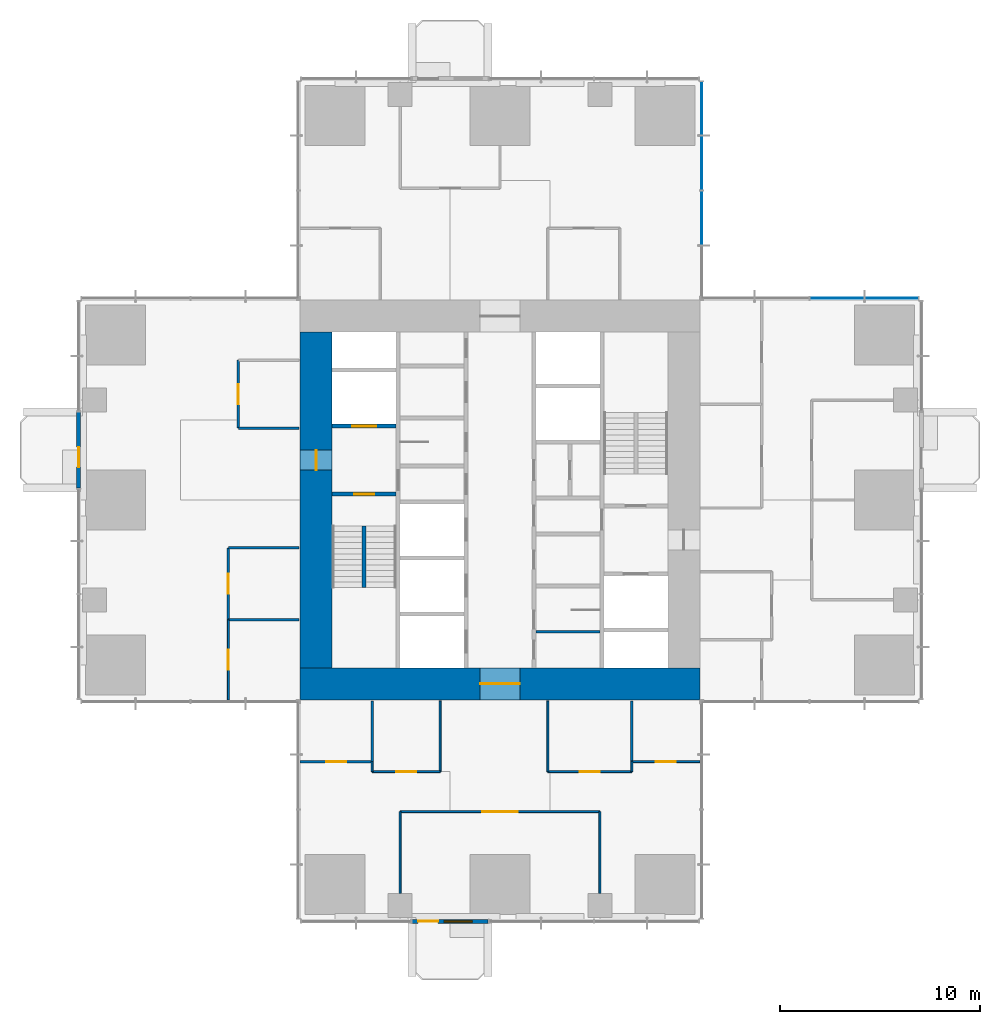
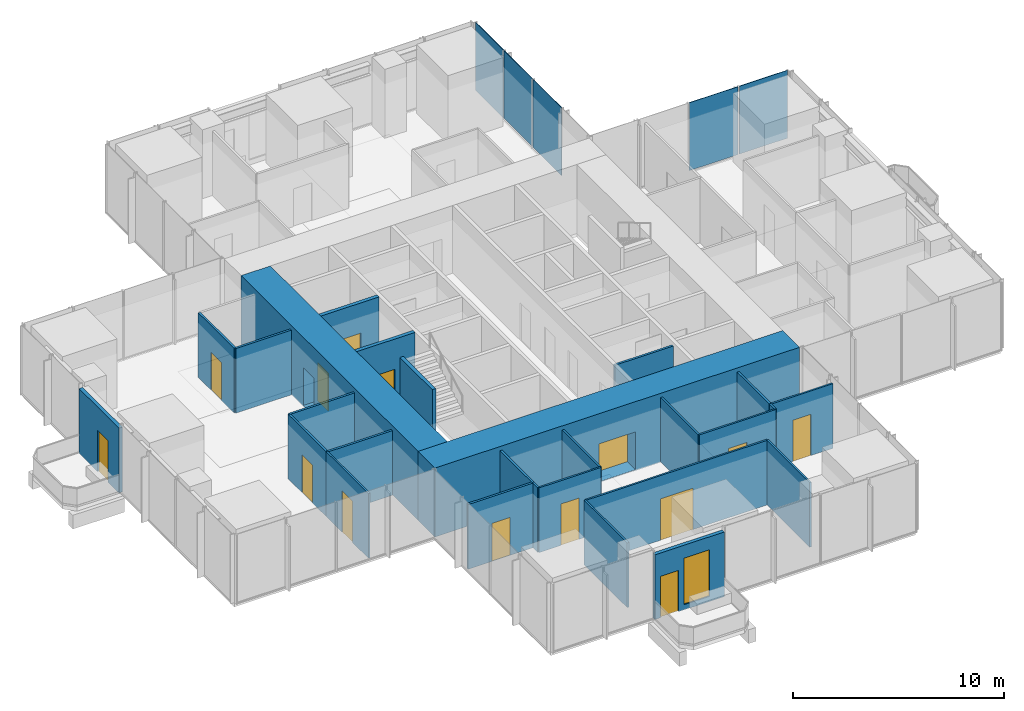
# One storey, part 8 of 13: 27 walls, 14 doors, 5 plates, 1 window, 15 openings, 2 elements without a shape of their own.
"""IFC4 building model written with IfcOpenShell, lengths in metres."""

from ifc_helpers import new_model, si_unit, direction, frame, frame_2d, origin, origin_2d, place, context, subcontext, project, spatial, rectangle, extrude, material, layer, layer_set, type_object, element, fill, aggregate, save


model = new_model("IFC4")

# Units and contexts
model_context = context("Model", 3, precision=1e-05, world=origin(), true_north=direction((0.0, 1.0)))
body_context = subcontext(model_context, "Body", "Model", "MODEL_VIEW")
ifc_project = project(units=[si_unit("LENGTHUNIT", "METRE"), si_unit("AREAUNIT", "SQUARE_METRE"), si_unit("VOLUMEUNIT", "CUBIC_METRE"), si_unit("PLANEANGLEUNIT", "RADIAN"), si_unit("MASSUNIT", "GRAM", prefix="KILO")], contexts=[model_context])

# Site, building, storey
site_placement = place(None, origin())
site = spatial("IfcSite", under=ifc_project, at=site_placement, CompositionType="ELEMENT")
building_placement = place(site_placement, origin())
building = spatial("IfcBuilding", under=site, at=building_placement, Name="Svetlomir Tower", CompositionType="ELEMENT")
storey_placement = place(building_placement, frame((0.0, 0.0, 100.5)))
storey = spatial("IfcBuildingStorey", under=building, at=storey_placement, Name="L23", CompositionType="ELEMENT", Elevation=100.5)

# Curtain wall, plates
ifc_material_1 = material(Name="Bronze anodised aluminium curtain wall", Category="aluminium")
curtain_wall_type = type_object("IfcCurtainWallType", Name="CURTAIN WALL CW1 TOWER OFFICE", PredefinedType="NOTDEFINED", material=ifc_material_1)
curtain_wall_1_placement = place(storey_placement, origin())
curtain_wall_1 = element("IfcCurtainWall", 1, at=curtain_wall_1_placement, inside=storey, type_object=curtain_wall_type, Name="Curtain wall CW1 L23", PredefinedType="NOTDEFINED")
ifc_material_2 = material(Name="Tinted double glazed unit", Category="glass")
ifc_layer_1 = layer(ifc_material_2, 0.031982421875)
ifc_layer_set_1 = layer_set([ifc_layer_1], Name="Tinted double glazed unit")
plate_type = type_object("IfcPlateType", Name="CW1 GLAZED PANEL 32", PredefinedType="CURTAIN_PANEL", material=ifc_layer_set_1)
plate_1_placement = place(storey_placement, frame((40.608642578125, 31.10009765625, 0.06494140625), z_axis=(0.0, 0.0, 1.0), x_axis=(-1.0, 0.0, 0.0)))
plate_1 = element("IfcPlate", 2, at=plate_1_placement, type_object=plate_type, Name="CW1 panel 1.1", PredefinedType="CURTAIN_PANEL", context=body_context, shape_type="SweptSolid", body=[
    extrude(rectangle(XDim=2.652587890625, YDim=0.031982421875, at=origin_2d()), origin(), (0.0, 0.0, 1.0), 3.93505859375),
])
plate_2_placement = place(storey_placement, frame((37.875, 31.10009765625, 0.06494140625), z_axis=(0.0, 0.0, 1.0), x_axis=(-1.0, 0.0, 0.0)))
plate_2 = element("IfcPlate", 3, at=plate_2_placement, type_object=plate_type, Name="CW1 panel 2.1", PredefinedType="CURTAIN_PANEL", context=body_context, shape_type="SweptSolid", body=[
    extrude(rectangle(XDim=2.68505859375, YDim=0.031982421875, at=origin_2d()), origin(), (0.0, 0.0, 1.0), 3.93505859375),
])
aggregate(curtain_wall_1, [plate_1, plate_2])

curtain_wall_2_placement = place(storey_placement, origin())
curtain_wall_2 = element("IfcCurtainWall", 4, at=curtain_wall_2_placement, inside=storey, type_object=curtain_wall_type, Name="Curtain wall CW1 L23", PredefinedType="NOTDEFINED")
plate_3_placement = place(storey_placement, frame((31.10009765625, 35.125, 0.06494140625), z_axis=(0.0, 0.0, 1.0), x_axis=(0.0, 1.0, 0.0)))
plate_3 = element("IfcPlate", 5, at=plate_3_placement, type_object=plate_type, Name="CW1 panel 2.1", PredefinedType="CURTAIN_PANEL", context=body_context, shape_type="SweptSolid", body=[
    extrude(rectangle(XDim=2.68505859375, YDim=0.031982421875, at=origin_2d()), origin(), (0.0, 0.0, 1.0), 3.93505859375),
])
plate_4_placement = place(storey_placement, frame((31.10009765625, 37.875, 0.06494140625), z_axis=(0.0, 0.0, 1.0), x_axis=(0.0, 1.0, 0.0)))
plate_4 = element("IfcPlate", 6, at=plate_4_placement, type_object=plate_type, Name="CW1 panel 3.1", PredefinedType="CURTAIN_PANEL", context=body_context, shape_type="SweptSolid", body=[
    extrude(rectangle(XDim=2.68505859375, YDim=0.031982421875, at=origin_2d()), origin(), (0.0, 0.0, 1.0), 3.93505859375),
])
plate_5_placement = place(storey_placement, frame((31.10009765625, 40.608642578125, 0.06494140625), z_axis=(0.0, 0.0, 1.0), x_axis=(0.0, 1.0, 0.0)))
plate_5 = element("IfcPlate", 7, at=plate_5_placement, type_object=plate_type, Name="CW1 panel 4.1", PredefinedType="CURTAIN_PANEL", context=body_context, shape_type="SweptSolid", body=[
    extrude(rectangle(XDim=2.652587890625, YDim=0.031982421875, at=origin_2d()), origin(), (0.0, 0.0, 1.0), 3.93505859375),
])
aggregate(curtain_wall_2, [plate_3, plate_4, plate_5])

# Wall, openings, door, window
ifc_material_3 = material(Name="Bronze anodised aluminium glazed screen", Category="aluminium")
ifc_layer_2 = layer(ifc_material_3, 0.199951171875)
ifc_layer_set_2 = layer_set([ifc_layer_2], Name="Bronze anodised aluminium glazed screen")
wall_type_1 = type_object("IfcWallType", Name="BALCONY SCREEN WALL 200", PredefinedType="USERDEFINED", material=ifc_layer_set_2)
wall_1_placement = place(storey_placement, frame((16.60009765625, -0.10009765625, 0.0), z_axis=(0.0, 0.0, 1.0), x_axis=(1.0, 0.0, 0.0)))
wall_1 = element("IfcWall", 8, at=wall_1_placement, inside=storey, type_object=wall_type_1, Name="Balcony screen S", ObjectType="GLAZED SCREEN", PredefinedType="USERDEFINED", context=body_context, shape_type="SweptSolid", body=[
    extrude(rectangle(XDim=3.7998046875, YDim=0.199951171875, at=frame_2d((1.89990234375, 0.0))), origin(), (0.0, 0.0, 1.0), 3.75),
])
opening_1_placement = place(wall_1_placement, frame((0.300048828125, 0.0, 0.0)))
opening_1 = element("IfcOpeningElement", 9, at=opening_1_placement, cuts=wall_1, Name="Opening BD", PredefinedType="OPENING", context=body_context, shape_type="SweptSolid", body=[
    extrude(rectangle(XDim=1.0, YDim=2.39990234375, at=frame_2d((0.5, 1.199951171875))), frame((0.0, 0.10986328125, 0.0), z_axis=(0.0, -1.0, 0.0), x_axis=(1.0, 0.0, 0.0)), (0.0, 0.0, 1.0), 0.219970703125),
])
opening_2_placement = place(wall_1_placement, frame((1.60009765625, 0.0, 0.300048828125)))
opening_2 = element("IfcOpeningElement", 10, at=opening_2_placement, cuts=wall_1, Name="Opening WS2", PredefinedType="OPENING", context=body_context, shape_type="SweptSolid", body=[
    extrude(rectangle(XDim=1.39990234375, YDim=2.699951171875, at=frame_2d((0.699951171875, 1.35009765625))), frame((0.0, 0.10986328125, 0.0), z_axis=(0.0, -1.0, 0.0), x_axis=(1.0, 0.0, 0.0)), (0.0, 0.0, 1.0), 0.219970703125),
])
ifc_material_4 = material(Name="Bronze anodised aluminium glazed door", Category="aluminium")
door_type_1 = type_object("IfcDoorType", Name="BALCONY DOOR BD 1000x2400", OperationType="SINGLE_SWING_LEFT", PredefinedType="DOOR", material=ifc_material_4)
door_1_placement = place(opening_1_placement, origin())
door_1 = element("IfcDoor", 11, at=door_1_placement, inside=storey, type_object=door_type_1, Name="Balcony screen S door", OperationType="SINGLE_SWING_LEFT", OverallHeight=2.39990234375, OverallWidth=1.0, PredefinedType="DOOR", context=body_context, shape_type="SweptSolid", body=[
    extrude(rectangle(XDim=1.0, YDim=2.39990234375, at=frame_2d((0.5, 1.199951171875))), frame((0.0, 0.02490234375, 0.0), z_axis=(0.0, -1.0, 0.0), x_axis=(1.0, 0.0, 0.0)), (0.0, 0.0, 1.0), 0.050048828125),
])
fill(opening_1, door_1)
ifc_material_5 = material(Name="Bronze anodised aluminium window", Category="aluminium")
window_type = type_object("IfcWindowType", Name="SCREEN WINDOW WS2 1400x2700", PartitioningType="SINGLE_PANEL", PredefinedType="WINDOW", material=ifc_material_5)
window_placement = place(opening_2_placement, origin())
window = element("IfcWindow", 12, at=window_placement, inside=storey, type_object=window_type, Name="Balcony screen S window 1", OverallHeight=2.699951171875, OverallWidth=1.39990234375, PartitioningType="SINGLE_PANEL", PredefinedType="WINDOW", context=body_context, shape_type="SweptSolid", body=[
    extrude(rectangle(XDim=1.39990234375, YDim=2.699951171875, at=frame_2d((0.699951171875, 1.35009765625))), frame((0.0, 0.030029296875, 0.0), z_axis=(0.0, -1.0, 0.0), x_axis=(1.0, 0.0, 0.0)), (0.0, 0.0, 1.0), 0.06005859375),
])
fill(opening_2, window)

# Wall, opening, door
wall_2_placement = place(storey_placement, frame((-0.10009765625, 25.39990234375, 0.0), z_axis=(0.0, 0.0, 1.0), x_axis=(0.0, -1.0, 0.0)))
wall_2 = element("IfcWall", 13, at=wall_2_placement, inside=storey, type_object=wall_type_1, Name="Balcony screen W", ObjectType="GLAZED SCREEN", PredefinedType="USERDEFINED", context=body_context, shape_type="SweptSolid", body=[
    extrude(rectangle(XDim=3.7998046875, YDim=0.199951171875, at=frame_2d((1.89990234375, 0.0))), origin(), (0.0, 0.0, 1.0), 3.75),
])
opening_3_placement = place(wall_2_placement, frame((1.75, 0.0, 0.0)))
opening_3 = element("IfcOpeningElement", 14, at=opening_3_placement, cuts=wall_2, Name="Opening BD", PredefinedType="OPENING", context=body_context, shape_type="SweptSolid", body=[
    extrude(rectangle(XDim=1.0, YDim=2.39990234375, at=frame_2d((0.5, 1.199951171875))), frame((0.0, 0.10986328125, 0.0), z_axis=(0.0, -1.0, 0.0), x_axis=(1.0, 0.0, 0.0)), (0.0, 0.0, 1.0), 0.219970703125),
])
door_2_placement = place(opening_3_placement, origin())
door_2 = element("IfcDoor", 15, at=door_2_placement, inside=storey, type_object=door_type_1, Name="Balcony screen W door", OperationType="SINGLE_SWING_LEFT", OverallHeight=2.39990234375, OverallWidth=1.0, PredefinedType="DOOR", context=body_context, shape_type="SweptSolid", body=[
    extrude(rectangle(XDim=1.0, YDim=2.39990234375, at=frame_2d((0.5, 1.199951171875))), frame((0.0, 0.02490234375, 0.0), z_axis=(0.0, -1.0, 0.0), x_axis=(1.0, 0.0, 0.0)), (0.0, 0.0, 1.0), 0.050048828125),
])
fill(opening_3, door_2)

ifc_material_6 = material(Name="Concrete C60/75", Category="concrete")
ifc_layer_3 = layer(ifc_material_6, 0.199951171875)
ifc_layer_set_3 = layer_set([ifc_layer_3], Name="Concrete C60/75")
wall_type_2 = type_object("IfcWallType", Name="CORE INNER WALL 200", PredefinedType="SHEAR", material=ifc_layer_set_3)
wall_3_placement = place(storey_placement, frame((12.60009765625, 21.300048828125, -0.050048828125), z_axis=(0.0, 0.0, 1.0), x_axis=(1.0, 0.0, 0.0)))
wall_3 = element("IfcWall", 16, at=wall_3_placement, inside=storey, type_object=wall_type_2, Name="Core inner wall 12.6-15.8/21.3 L23", PredefinedType="SHEAR", context=body_context, shape_type="SweptSolid", body=[
    extrude(rectangle(XDim=3.199951171875, YDim=0.199951171875, at=frame_2d((1.60009765625, 0.0))), origin(), (0.0, 0.0, 1.0), 4.0),
])
opening_4_placement = place(wall_3_placement, frame((1.10009765625, 0.0, 0.050048828125)))
opening_4 = element("IfcOpeningElement", 17, at=opening_4_placement, cuts=wall_3, Name="Opening DF", PredefinedType="OPENING", context=body_context, shape_type="SweptSolid", body=[
    extrude(rectangle(XDim=1.0, YDim=2.199951171875, at=frame_2d((0.5, 1.10009765625))), frame((0.0, 0.10986328125, 0.0), z_axis=(0.0, -1.0, 0.0), x_axis=(1.0, 0.0, 0.0)), (0.0, 0.0, 1.0), 0.219970703125),
])
ifc_material_7 = material(Name="Steel fire door", Category="steel")
door_type_2 = type_object("IfcDoorType", Name="DOOR DF 1000x2200", OperationType="SINGLE_SWING_LEFT", PredefinedType="DOOR", material=ifc_material_7)
door_3_placement = place(opening_4_placement, origin())
door_3 = element("IfcDoor", 18, at=door_3_placement, inside=storey, type_object=door_type_2, Name="Stair S1 door L23", OperationType="SINGLE_SWING_RIGHT", OverallHeight=2.199951171875, OverallWidth=1.0, PredefinedType="DOOR", context=body_context, shape_type="SweptSolid", body=[
    extrude(rectangle(XDim=1.0, YDim=2.199951171875, at=frame_2d((0.5, 1.10009765625))), frame((0.0, 0.02490234375, 0.0), z_axis=(0.0, -1.0, 0.0), x_axis=(1.0, 0.0, 0.0)), (0.0, 0.0, 1.0), 0.050048828125),
])
fill(opening_4, door_3)

wall_4_placement = place(storey_placement, frame((12.60009765625, 24.699951171875, -0.050048828125), z_axis=(0.0, 0.0, 1.0), x_axis=(1.0, 0.0, 0.0)))
wall_4 = element("IfcWall", 19, at=wall_4_placement, inside=storey, type_object=wall_type_2, Name="Core inner wall 12.6-15.8/24.7 L23", PredefinedType="SHEAR", context=body_context, shape_type="SweptSolid", body=[
    extrude(rectangle(XDim=3.199951171875, YDim=0.199951171875, at=frame_2d((1.60009765625, 0.0))), origin(), (0.0, 0.0, 1.0), 4.0),
])
opening_5_placement = place(wall_4_placement, frame((1.0, 0.0, 0.050048828125)))
opening_5 = element("IfcOpeningElement", 20, at=opening_5_placement, cuts=wall_4, Name="Opening LD3", PredefinedType="OPENING", context=body_context, shape_type="SweptSolid", body=[
    extrude(rectangle(XDim=1.199951171875, YDim=2.199951171875, at=frame_2d((0.60009765625, 1.10009765625))), frame((0.0, 0.10986328125, 0.0), z_axis=(0.0, -1.0, 0.0), x_axis=(1.0, 0.0, 0.0)), (0.0, 0.0, 1.0), 0.219970703125),
])
ifc_material_8 = material(Name="Stainless steel fire-rated landing door", Category="steel")
door_type_3 = type_object("IfcDoorType", Name="FIREFIGHTING LIFT LANDING DOOR LD3 1200x2200", OperationType="DOUBLE_DOOR_SLIDING", PredefinedType="DOOR", material=ifc_material_8)
door_4_placement = place(opening_5_placement, origin())
door_4 = element("IfcDoor", 21, at=door_4_placement, inside=storey, type_object=door_type_3, Name="Landing door lift FL1 L23", OperationType="DOUBLE_DOOR_SLIDING", OverallHeight=2.199951171875, OverallWidth=1.199951171875, PredefinedType="DOOR", context=body_context, shape_type="SweptSolid", body=[
    extrude(rectangle(XDim=1.199951171875, YDim=2.199951171875, at=frame_2d((0.60009765625, 1.10009765625))), frame((0.0, 0.02490234375, 0.0), z_axis=(0.0, -1.0, 0.0), x_axis=(1.0, 0.0, 0.0)), (0.0, 0.0, 1.0), 0.050048828125),
])
fill(opening_5, door_4)

ifc_material_9 = material(Name="Concrete C60/75", Category="concrete")
ifc_layer_4 = layer(ifc_material_9, 1.60009765625)
ifc_layer_set_4 = layer_set([ifc_layer_4], Name="Concrete C60/75")
wall_type_3 = type_object("IfcWallType", Name="CORE WALL 1600", PredefinedType="SHEAR", material=ifc_layer_set_4)
wall_5_placement = place(storey_placement, frame((11.0, 11.800048828125, -0.050048828125), z_axis=(0.0, 0.0, 1.0), x_axis=(1.0, 0.0, 0.0)))
wall_5 = element("IfcWall", 22, at=wall_5_placement, inside=storey, type_object=wall_type_3, Name="Core wall south L23", PredefinedType="SHEAR", context=body_context, shape_type="SweptSolid", body=[
    extrude(rectangle(XDim=20.0, YDim=1.60009765625, at=frame_2d((10.0, 0.0))), origin(), (0.0, 0.0, 1.0), 4.0),
])
opening_6_placement = place(wall_5_placement, frame((9.0, 0.0, 0.050048828125)))
opening_6 = element("IfcOpeningElement", 23, at=opening_6_placement, cuts=wall_5, Name="Opening DL", PredefinedType="OPENING", context=body_context, shape_type="SweptSolid", body=[
    extrude(rectangle(XDim=2.0, YDim=2.199951171875, at=frame_2d((1.0, 1.10009765625))), frame((0.0, 0.81005859375, 0.0), z_axis=(0.0, -1.0, 0.0), x_axis=(1.0, 0.0, 0.0)), (0.0, 0.0, 1.0), 1.6201171875),
])
ifc_material_10 = material(Name="Steel fire door", Category="steel")
door_type_4 = type_object("IfcDoorType", Name="DOOR DL 2000x2200", OperationType="DOUBLE_DOOR_SINGLE_SWING", PredefinedType="DOOR", material=ifc_material_10)
door_5_placement = place(opening_6_placement, origin())
door_5 = element("IfcDoor", 24, at=door_5_placement, inside=storey, type_object=door_type_4, Name="Lift lobby south door L23", OperationType="DOUBLE_DOOR_SINGLE_SWING", OverallHeight=2.199951171875, OverallWidth=2.0, PredefinedType="DOOR", context=body_context, shape_type="SweptSolid", body=[
    extrude(rectangle(XDim=2.0, YDim=2.199951171875, at=frame_2d((1.0, 1.10009765625))), frame((0.0, 0.02490234375, 0.0), z_axis=(0.0, -1.0, 0.0), x_axis=(1.0, 0.0, 0.0)), (0.0, 0.0, 1.0), 0.050048828125),
])
fill(opening_6, door_5)

wall_6_placement = place(storey_placement, frame((11.800048828125, 12.60009765625, -0.050048828125), z_axis=(0.0, 0.0, 1.0), x_axis=(0.0, 1.0, 0.0)))
wall_6 = element("IfcWall", 25, at=wall_6_placement, inside=storey, type_object=wall_type_3, Name="Core wall west L23", PredefinedType="SHEAR", context=body_context, shape_type="SweptSolid", body=[
    extrude(rectangle(XDim=16.7998046875, YDim=1.60009765625, at=frame_2d((8.39990234375, 0.0))), origin(), (0.0, 0.0, 1.0), 4.0),
])
opening_7_placement = place(wall_6_placement, frame((9.89990234375, 0.0, 0.050048828125)))
opening_7 = element("IfcOpeningElement", 26, at=opening_7_placement, cuts=wall_6, Name="Opening DF", PredefinedType="OPENING", context=body_context, shape_type="SweptSolid", body=[
    extrude(rectangle(XDim=1.0, YDim=2.199951171875, at=frame_2d((0.5, 1.10009765625))), frame((0.0, 0.81005859375, 0.0), z_axis=(0.0, -1.0, 0.0), x_axis=(1.0, 0.0, 0.0)), (0.0, 0.0, 1.0), 1.6201171875),
])
door_6_placement = place(opening_7_placement, origin())
door_6 = element("IfcDoor", 27, at=door_6_placement, inside=storey, type_object=door_type_2, Name="Firefighting lobby west door L23", OperationType="SINGLE_SWING_RIGHT", OverallHeight=2.199951171875, OverallWidth=1.0, PredefinedType="DOOR", context=body_context, shape_type="SweptSolid", body=[
    extrude(rectangle(XDim=1.0, YDim=2.199951171875, at=frame_2d((0.5, 1.10009765625))), frame((0.0, 0.02490234375, 0.0), z_axis=(0.0, -1.0, 0.0), x_axis=(1.0, 0.0, 0.0)), (0.0, 0.0, 1.0), 0.050048828125),
])
fill(opening_7, door_6)

ifc_material_11 = material(Name="Framed laminated glass partition", Category="glass")
ifc_layer_5 = layer(ifc_material_11, 0.10009765625)
ifc_layer_set_5 = layer_set([ifc_layer_5], Name="Framed laminated glass partition")
wall_type_4 = type_object("IfcWallType", Name="GLAZED PARTITION 100", PredefinedType="PARTITIONING", material=ifc_layer_set_5)
wall_7_placement = place(storey_placement, frame((7.39990234375, 11.0, 0.0), z_axis=(0.0, 0.0, 1.0), x_axis=(0.0, 1.0, 0.0)))
wall_7 = element("IfcWall", 28, at=wall_7_placement, inside=storey, type_object=wall_type_4, Name="Glazed partition L23", PredefinedType="PARTITIONING", context=body_context, shape_type="SweptSolid", body=[
    extrude(rectangle(XDim=4.0, YDim=0.10009765625, at=frame_2d((2.0, 0.0))), origin(), (0.0, 0.0, 1.0), 3.75),
])
opening_8_placement = place(wall_7_placement, frame((1.5, 0.0, 0.0)))
opening_8 = element("IfcOpeningElement", 29, at=opening_8_placement, cuts=wall_7, Name="Opening DG", PredefinedType="OPENING", context=body_context, shape_type="SweptSolid", body=[
    extrude(rectangle(XDim=1.0, YDim=2.39990234375, at=frame_2d((0.5, 1.199951171875))), frame((0.0, 0.06005859375, 0.0), z_axis=(0.0, -1.0, 0.0), x_axis=(1.0, 0.0, 0.0)), (0.0, 0.0, 1.0), 0.1201171875),
])
ifc_material_12 = material(Name="Framed laminated glass door", Category="glass")
door_type_5 = type_object("IfcDoorType", Name="GLAZED DOOR DG 1000x2400", OperationType="SINGLE_SWING_LEFT", PredefinedType="DOOR", material=ifc_material_12)
door_7_placement = place(opening_8_placement, origin())
door_7 = element("IfcDoor", 30, at=door_7_placement, inside=storey, type_object=door_type_5, Name="Client data room door L23", OperationType="SINGLE_SWING_RIGHT", OverallHeight=2.39990234375, OverallWidth=1.0, PredefinedType="DOOR", context=body_context, shape_type="SweptSolid", body=[
    extrude(rectangle(XDim=1.0, YDim=2.39990234375, at=frame_2d((0.5, 1.199951171875))), frame((0.0, 0.02490234375, 0.0), z_axis=(0.0, -1.0, 0.0), x_axis=(1.0, 0.0, 0.0)), (0.0, 0.0, 1.0), 0.050048828125),
])
fill(opening_8, door_7)

# Wall
wall_8_placement = place(storey_placement, frame((14.60009765625, 7.39990234375, 0.0), z_axis=(0.0, 0.0, 1.0), x_axis=(0.0, 1.0, 0.0)))
element("IfcWall", 31, at=wall_8_placement, inside=storey, type_object=wall_type_4, Name="Glazed partition L23", PredefinedType="PARTITIONING", context=body_context, shape_type="SweptSolid", body=[
    extrude(rectangle(XDim=0.5, YDim=0.10009765625, at=frame_2d((0.25, 0.0))), origin(), (0.0, 0.0, 1.0), 3.75),
])

# Wall, opening, door
wall_9_placement = place(storey_placement, frame((14.60009765625, 7.39990234375, 0.0), z_axis=(0.0, 0.0, 1.0), x_axis=(1.0, 0.0, 0.0)))
wall_9 = element("IfcWall", 32, at=wall_9_placement, inside=storey, type_object=wall_type_4, Name="Glazed partition L23", PredefinedType="PARTITIONING", context=body_context, shape_type="SweptSolid", body=[
    extrude(rectangle(XDim=3.39990234375, YDim=0.10009765625, at=frame_2d((1.699951171875, 0.0))), origin(), (0.0, 0.0, 1.0), 3.75),
])
opening_9_placement = place(wall_9_placement, frame((1.199951171875, 0.0, 0.0)))
opening_9 = element("IfcOpeningElement", 33, at=opening_9_placement, cuts=wall_9, Name="Opening DG", PredefinedType="OPENING", context=body_context, shape_type="SweptSolid", body=[
    extrude(rectangle(XDim=1.0, YDim=2.39990234375, at=frame_2d((0.5, 1.199951171875))), frame((0.0, 0.06005859375, 0.0), z_axis=(0.0, -1.0, 0.0), x_axis=(1.0, 0.0, 0.0)), (0.0, 0.0, 1.0), 0.1201171875),
])
door_8_placement = place(opening_9_placement, origin())
door_8 = element("IfcDoor", 34, at=door_8_placement, inside=storey, type_object=door_type_5, Name="Client meeting room, 4 seats door L23", OperationType="SINGLE_SWING_RIGHT", OverallHeight=2.39990234375, OverallWidth=1.0, PredefinedType="DOOR", context=body_context, shape_type="SweptSolid", body=[
    extrude(rectangle(XDim=1.0, YDim=2.39990234375, at=frame_2d((0.5, 1.199951171875))), frame((0.0, 0.02490234375, 0.0), z_axis=(0.0, -1.0, 0.0), x_axis=(1.0, 0.0, 0.0)), (0.0, 0.0, 1.0), 0.050048828125),
])
fill(opening_9, door_8)

# Wall
wall_10_placement = place(storey_placement, frame((16.0, 1.31005859375, 0.0), z_axis=(0.0, 0.0, 1.0), x_axis=(0.0, 1.0, 0.0)))
element("IfcWall", 35, at=wall_10_placement, inside=storey, type_object=wall_type_4, Name="Glazed partition L23", PredefinedType="PARTITIONING", context=body_context, shape_type="SweptSolid", body=[
    extrude(rectangle(XDim=4.08984375, YDim=0.10009765625, at=frame_2d((2.044921875, 0.0))), origin(), (0.0, 0.0, 1.0), 3.75),
])

# Wall, opening, door
wall_11_placement = place(storey_placement, frame((16.0, 5.39990234375, 0.0), z_axis=(0.0, 0.0, 1.0), x_axis=(1.0, 0.0, 0.0)))
wall_11 = element("IfcWall", 36, at=wall_11_placement, inside=storey, type_object=wall_type_4, Name="Glazed partition L23", PredefinedType="PARTITIONING", context=body_context, shape_type="SweptSolid", body=[
    extrude(rectangle(XDim=10.0, YDim=0.10009765625, at=frame_2d((5.0, 0.0))), origin(), (0.0, 0.0, 1.0), 3.75),
])
opening_10_placement = place(wall_11_placement, frame((4.10009765625, 0.0, 0.0)))
opening_10 = element("IfcOpeningElement", 37, at=opening_10_placement, cuts=wall_11, Name="Opening DD", PredefinedType="OPENING", context=body_context, shape_type="SweptSolid", body=[
    extrude(rectangle(XDim=1.800048828125, YDim=2.39990234375, at=frame_2d((0.89990234375, 1.199951171875))), frame((0.0, 0.06005859375, 0.0), z_axis=(0.0, -1.0, 0.0), x_axis=(1.0, 0.0, 0.0)), (0.0, 0.0, 1.0), 0.1201171875),
])
ifc_material_13 = material(Name="Timber door", Category="wood")
door_type_6 = type_object("IfcDoorType", Name="DOOR DD 1800x2400", OperationType="DOUBLE_DOOR_SINGLE_SWING", PredefinedType="DOOR", material=ifc_material_13)
door_9_placement = place(opening_10_placement, origin())
door_9 = element("IfcDoor", 38, at=door_9_placement, inside=storey, type_object=door_type_6, Name="Client meeting room, 16 seats door L23", OperationType="DOUBLE_DOOR_SINGLE_SWING", OverallHeight=2.39990234375, OverallWidth=1.800048828125, PredefinedType="DOOR", context=body_context, shape_type="SweptSolid", body=[
    extrude(rectangle(XDim=1.800048828125, YDim=2.39990234375, at=frame_2d((0.89990234375, 1.199951171875))), frame((0.0, 0.02490234375, 0.0), z_axis=(0.0, -1.0, 0.0), x_axis=(1.0, 0.0, 0.0)), (0.0, 0.0, 1.0), 0.050048828125),
])
fill(opening_10, door_9)

# Walls
for number, where, z_axis, x_axis, name in (
    (39, (18.0, 7.39990234375, 0.0), (0.0, 0.0, 1.0), (0.0, 1.0, 0.0), "Glazed partition L23"),
    (40, (23.39990234375, 7.39990234375, 0.0), (0.0, 0.0, 1.0), (0.0, 1.0, 0.0), "Glazed partition L23"),
):
    element("IfcWall", number, at=place(storey_placement, frame(where, z_axis=z_axis, x_axis=x_axis)), inside=storey, type_object=wall_type_4, Name=name, PredefinedType="PARTITIONING", context=body_context, shape_type="SweptSolid", body=[
        extrude(rectangle(XDim=3.550048828125, YDim=0.10009765625, at=frame_2d((1.77490234375, 0.0))), origin(), (0.0, 0.0, 1.0), 3.75),
    ])

# Wall, opening, door
wall_12_placement = place(storey_placement, frame((23.39990234375, 7.39990234375, 0.0), z_axis=(0.0, 0.0, 1.0), x_axis=(1.0, 0.0, 0.0)))
wall_12 = element("IfcWall", 41, at=wall_12_placement, inside=storey, type_object=wall_type_4, Name="Glazed partition L23", PredefinedType="PARTITIONING", context=body_context, shape_type="SweptSolid", body=[
    extrude(rectangle(XDim=4.2001953125, YDim=0.10009765625, at=frame_2d((2.10009765625, 0.0))), origin(), (0.0, 0.0, 1.0), 3.75),
])
opening_11_placement = place(wall_12_placement, frame((1.60009765625, 0.0, 0.0)))
opening_11 = element("IfcOpeningElement", 42, at=opening_11_placement, cuts=wall_12, Name="Opening DG", PredefinedType="OPENING", context=body_context, shape_type="SweptSolid", body=[
    extrude(rectangle(XDim=1.0, YDim=2.39990234375, at=frame_2d((0.5, 1.199951171875))), frame((0.0, 0.06005859375, 0.0), z_axis=(0.0, -1.0, 0.0), x_axis=(1.0, 0.0, 0.0)), (0.0, 0.0, 1.0), 0.1201171875),
])
door_10_placement = place(opening_11_placement, origin())
door_10 = element("IfcDoor", 43, at=door_10_placement, inside=storey, type_object=door_type_5, Name="Client meeting room, 6 seats door L23", OperationType="SINGLE_SWING_LEFT", OverallHeight=2.39990234375, OverallWidth=1.0, PredefinedType="DOOR", context=body_context, shape_type="SweptSolid", body=[
    extrude(rectangle(XDim=1.0, YDim=2.39990234375, at=frame_2d((0.5, 1.199951171875))), frame((0.0, 0.02490234375, 0.0), z_axis=(0.0, -1.0, 0.0), x_axis=(1.0, 0.0, 0.0)), (0.0, 0.0, 1.0), 0.050048828125),
])
fill(opening_11, door_10)

# Walls
wall_13_placement = place(storey_placement, frame((26.0, 1.31005859375, 0.0), z_axis=(0.0, 0.0, 1.0), x_axis=(0.0, 1.0, 0.0)))
element("IfcWall", 44, at=wall_13_placement, inside=storey, type_object=wall_type_4, Name="Glazed partition L23", PredefinedType="PARTITIONING", context=body_context, shape_type="SweptSolid", body=[
    extrude(rectangle(XDim=4.08984375, YDim=0.10009765625, at=frame_2d((2.044921875, 0.0))), origin(), (0.0, 0.0, 1.0), 3.75),
])
wall_14_placement = place(storey_placement, frame((27.60009765625, 7.39990234375, 0.0), z_axis=(0.0, 0.0, 1.0), x_axis=(0.0, 1.0, 0.0)))
element("IfcWall", 45, at=wall_14_placement, inside=storey, type_object=wall_type_4, Name="Glazed partition L23", PredefinedType="PARTITIONING", context=body_context, shape_type="SweptSolid", body=[
    extrude(rectangle(XDim=0.5, YDim=0.10009765625, at=frame_2d((0.25, 0.0))), origin(), (0.0, 0.0, 1.0), 3.75),
])

# Wall, opening, door
wall_15_placement = place(storey_placement, frame((27.60009765625, 7.89990234375, 0.0), z_axis=(0.0, 0.0, 1.0), x_axis=(1.0, 0.0, 0.0)))
wall_15 = element("IfcWall", 46, at=wall_15_placement, inside=storey, type_object=wall_type_4, Name="Glazed partition L23", PredefinedType="PARTITIONING", context=body_context, shape_type="SweptSolid", body=[
    extrude(rectangle(XDim=3.39990234375, YDim=0.10009765625, at=frame_2d((1.699951171875, 0.0))), origin(), (0.0, 0.0, 1.0), 3.75),
])
opening_12_placement = place(wall_15_placement, frame((1.199951171875, 0.0, 0.0)))
opening_12 = element("IfcOpeningElement", 47, at=opening_12_placement, cuts=wall_15, Name="Opening DG", PredefinedType="OPENING", context=body_context, shape_type="SweptSolid", body=[
    extrude(rectangle(XDim=1.0, YDim=2.39990234375, at=frame_2d((0.5, 1.199951171875))), frame((0.0, 0.06005859375, 0.0), z_axis=(0.0, -1.0, 0.0), x_axis=(1.0, 0.0, 0.0)), (0.0, 0.0, 1.0), 0.1201171875),
])
door_11_placement = place(opening_12_placement, origin())
door_11 = element("IfcDoor", 48, at=door_11_placement, inside=storey, type_object=door_type_5, Name="Hospitality pantry door L23", OperationType="SINGLE_SWING_LEFT", OverallHeight=2.39990234375, OverallWidth=1.0, PredefinedType="DOOR", context=body_context, shape_type="SweptSolid", body=[
    extrude(rectangle(XDim=1.0, YDim=2.39990234375, at=frame_2d((0.5, 1.199951171875))), frame((0.0, 0.02490234375, 0.0), z_axis=(0.0, -1.0, 0.0), x_axis=(1.0, 0.0, 0.0)), (0.0, 0.0, 1.0), 0.050048828125),
])
fill(opening_12, door_11)

# Wall
ifc_material_14 = material(Name="Gypsum board on steel studs", Category="steel")
ifc_layer_6 = layer(ifc_material_14, 0.1201171875)
ifc_layer_set_6 = layer_set([ifc_layer_6], Name="Gypsum board on steel studs")
wall_type_5 = type_object("IfcWallType", Name="PARTITION 120", PredefinedType="PARTITIONING", material=ifc_layer_set_6)
wall_16_placement = place(storey_placement, frame((22.800048828125, 14.39990234375, 0.0), z_axis=(0.0, 0.0, 1.0), x_axis=(1.0, 0.0, 0.0)))
element("IfcWall", 49, at=wall_16_placement, inside=storey, type_object=wall_type_5, Name="Floor store partition L23", PredefinedType="PARTITIONING", context=body_context, shape_type="SweptSolid", body=[
    extrude(rectangle(XDim=3.199951171875, YDim=0.1201171875, at=frame_2d((1.60009765625, 0.0))), origin(), (0.0, 0.0, 1.0), 3.75),
])

# Wall, opening, door
wall_17_placement = place(storey_placement, frame((7.39990234375, 15.0, 0.0), z_axis=(0.0, 0.0, 1.0), x_axis=(0.0, 1.0, 0.0)))
wall_17 = element("IfcWall", 50, at=wall_17_placement, inside=storey, type_object=wall_type_5, Name="Partition L23", PredefinedType="PARTITIONING", context=body_context, shape_type="SweptSolid", body=[
    extrude(rectangle(XDim=3.60009765625, YDim=0.1201171875, at=frame_2d((1.800048828125, 0.0))), origin(), (0.0, 0.0, 1.0), 3.75),
])
opening_13_placement = place(wall_17_placement, frame((1.300048828125, 0.0, 0.0)))
opening_13 = element("IfcOpeningElement", 51, at=opening_13_placement, cuts=wall_17, Name="Opening DR", PredefinedType="OPENING", context=body_context, shape_type="SweptSolid", body=[
    extrude(rectangle(XDim=1.0, YDim=2.199951171875, at=frame_2d((0.5, 1.10009765625))), frame((0.0, 0.070068359375, 0.0), z_axis=(0.0, -1.0, 0.0), x_axis=(1.0, 0.0, 0.0)), (0.0, 0.0, 1.0), 0.14013671875),
])
ifc_material_15 = material(Name="Timber door, glazed side light", Category="wood")
door_type_7 = type_object("IfcDoorType", Name="DOOR DR 1000x2200", OperationType="SINGLE_SWING_LEFT", PredefinedType="DOOR", material=ifc_material_15)
door_12_placement = place(opening_13_placement, origin())
door_12 = element("IfcDoor", 52, at=door_12_placement, inside=storey, type_object=door_type_7, Name="Concierge office door L23", OperationType="SINGLE_SWING_RIGHT", OverallHeight=2.199951171875, OverallWidth=1.0, PredefinedType="DOOR", context=body_context, shape_type="SweptSolid", body=[
    extrude(rectangle(XDim=1.0, YDim=2.199951171875, at=frame_2d((0.5, 1.10009765625))), frame((0.0, 0.02490234375, 0.0), z_axis=(0.0, -1.0, 0.0), x_axis=(1.0, 0.0, 0.0)), (0.0, 0.0, 1.0), 0.050048828125),
])
fill(opening_13, door_12)

# Walls
for number, where, z_axis, x_axis, name in (
    (53, (7.39990234375, 15.0, 0.0), (0.0, 0.0, 1.0), (1.0, 0.0, 0.0), "Partition L23"),
    (54, (7.39990234375, 18.60009765625, 0.0), (0.0, 0.0, 1.0), (1.0, 0.0, 0.0), "Partition L23"),
):
    element("IfcWall", number, at=place(storey_placement, frame(where, z_axis=z_axis, x_axis=x_axis)), inside=storey, type_object=wall_type_5, Name=name, PredefinedType="PARTITIONING", context=body_context, shape_type="SweptSolid", body=[
        extrude(rectangle(XDim=3.550048828125, YDim=0.1201171875, at=frame_2d((1.77490234375, 0.0))), origin(), (0.0, 0.0, 1.0), 3.75),
    ])

# Wall, opening, door
wall_18_placement = place(storey_placement, frame((7.89990234375, 24.60009765625, 0.0), z_axis=(0.0, 0.0, 1.0), x_axis=(0.0, 1.0, 0.0)))
wall_18 = element("IfcWall", 55, at=wall_18_placement, inside=storey, type_object=wall_type_5, Name="Partition L23", PredefinedType="PARTITIONING", context=body_context, shape_type="SweptSolid", body=[
    extrude(rectangle(XDim=3.39990234375, YDim=0.1201171875, at=frame_2d((1.699951171875, 0.0))), origin(), (0.0, 0.0, 1.0), 3.75),
])
opening_14_placement = place(wall_18_placement, frame((1.199951171875, 0.0, 0.0)))
opening_14 = element("IfcOpeningElement", 56, at=opening_14_placement, cuts=wall_18, Name="Opening DR", PredefinedType="OPENING", context=body_context, shape_type="SweptSolid", body=[
    extrude(rectangle(XDim=1.0, YDim=2.199951171875, at=frame_2d((0.5, 1.10009765625))), frame((0.0, 0.070068359375, 0.0), z_axis=(0.0, -1.0, 0.0), x_axis=(1.0, 0.0, 0.0)), (0.0, 0.0, 1.0), 0.14013671875),
])
door_13_placement = place(opening_14_placement, origin())
door_13 = element("IfcDoor", 57, at=door_13_placement, inside=storey, type_object=door_type_7, Name="Store door L23", OperationType="SINGLE_SWING_LEFT", OverallHeight=2.199951171875, OverallWidth=1.0, PredefinedType="DOOR", context=body_context, shape_type="SweptSolid", body=[
    extrude(rectangle(XDim=1.0, YDim=2.199951171875, at=frame_2d((0.5, 1.10009765625))), frame((0.0, 0.02490234375, 0.0), z_axis=(0.0, -1.0, 0.0), x_axis=(1.0, 0.0, 0.0)), (0.0, 0.0, 1.0), 0.050048828125),
])
fill(opening_14, door_13)

# Wall
wall_19_placement = place(storey_placement, frame((7.89990234375, 24.60009765625, 0.0), z_axis=(0.0, 0.0, 1.0), x_axis=(1.0, 0.0, 0.0)))
element("IfcWall", 58, at=wall_19_placement, inside=storey, type_object=wall_type_5, Name="Partition L23", PredefinedType="PARTITIONING", context=body_context, shape_type="SweptSolid", body=[
    extrude(rectangle(XDim=3.050048828125, YDim=0.1201171875, at=frame_2d((1.52490234375, 0.0))), origin(), (0.0, 0.0, 1.0), 3.75),
])

# Wall, opening, door
wall_20_placement = place(storey_placement, frame((11.0, 7.89990234375, 0.0), z_axis=(0.0, 0.0, 1.0), x_axis=(1.0, 0.0, 0.0)))
wall_20 = element("IfcWall", 59, at=wall_20_placement, inside=storey, type_object=wall_type_5, Name="Partition L23", PredefinedType="PARTITIONING", context=body_context, shape_type="SweptSolid", body=[
    extrude(rectangle(XDim=3.60009765625, YDim=0.1201171875, at=frame_2d((1.800048828125, 0.0))), origin(), (0.0, 0.0, 1.0), 3.75),
])
opening_15_placement = place(wall_20_placement, frame((1.300048828125, 0.0, 0.0)))
opening_15 = element("IfcOpeningElement", 60, at=opening_15_placement, cuts=wall_20, Name="Opening DR", PredefinedType="OPENING", context=body_context, shape_type="SweptSolid", body=[
    extrude(rectangle(XDim=1.0, YDim=2.199951171875, at=frame_2d((0.5, 1.10009765625))), frame((0.0, 0.070068359375, 0.0), z_axis=(0.0, -1.0, 0.0), x_axis=(1.0, 0.0, 0.0)), (0.0, 0.0, 1.0), 0.14013671875),
])
door_14_placement = place(opening_15_placement, origin())
door_14 = element("IfcDoor", 61, at=door_14_placement, inside=storey, type_object=door_type_7, Name="Client cloakroom door L23", OperationType="SINGLE_SWING_RIGHT", OverallHeight=2.199951171875, OverallWidth=1.0, PredefinedType="DOOR", context=body_context, shape_type="SweptSolid", body=[
    extrude(rectangle(XDim=1.0, YDim=2.199951171875, at=frame_2d((0.5, 1.10009765625))), frame((0.0, 0.02490234375, 0.0), z_axis=(0.0, -1.0, 0.0), x_axis=(1.0, 0.0, 0.0)), (0.0, 0.0, 1.0), 0.050048828125),
])
fill(opening_15, door_14)

# Walls
for number, where, z_axis, x_axis, name in (
    (62, (14.60009765625, 7.89990234375, 0.0), (0.0, 0.0, 1.0), (0.0, 1.0, 0.0), "Partition L23"),
    (63, (27.60009765625, 7.89990234375, 0.0), (0.0, 0.0, 1.0), (0.0, 1.0, 0.0), "Partition L23"),
):
    element("IfcWall", number, at=place(storey_placement, frame(where, z_axis=z_axis, x_axis=x_axis)), inside=storey, type_object=wall_type_5, Name=name, PredefinedType="PARTITIONING", context=body_context, shape_type="SweptSolid", body=[
        extrude(rectangle(XDim=3.050048828125, YDim=0.1201171875, at=frame_2d((1.52490234375, 0.0))), origin(), (0.0, 0.0, 1.0), 3.75),
    ])
ifc_material_16 = material(Name="Concrete C60/75", Category="concrete")
ifc_layer_7 = layer(ifc_material_16, 0.199951171875)
ifc_layer_set_7 = layer_set([ifc_layer_7], Name="Concrete C60/75")
wall_type_6 = type_object("IfcWallType", Name="STAIR SPINE WALL 200", PredefinedType="PARTITIONING", material=ifc_layer_set_7)
wall_21_placement = place(storey_placement, frame((14.199951171875, 16.6201171875, 0.0), z_axis=(0.0, 0.0, 1.0), x_axis=(0.0, 1.0, 0.0)))
element("IfcWall", 64, at=wall_21_placement, inside=storey, type_object=wall_type_6, Name="Stair S1 spine wall L23", PredefinedType="PARTITIONING", context=body_context, shape_type="SweptSolid", body=[
    extrude(rectangle(XDim=3.079833984375, YDim=0.199951171875, at=frame_2d((1.5400390625, 0.0))), origin(), (0.0, 0.0, 1.0), 4.0),
])

save(model, "model.ifc")
